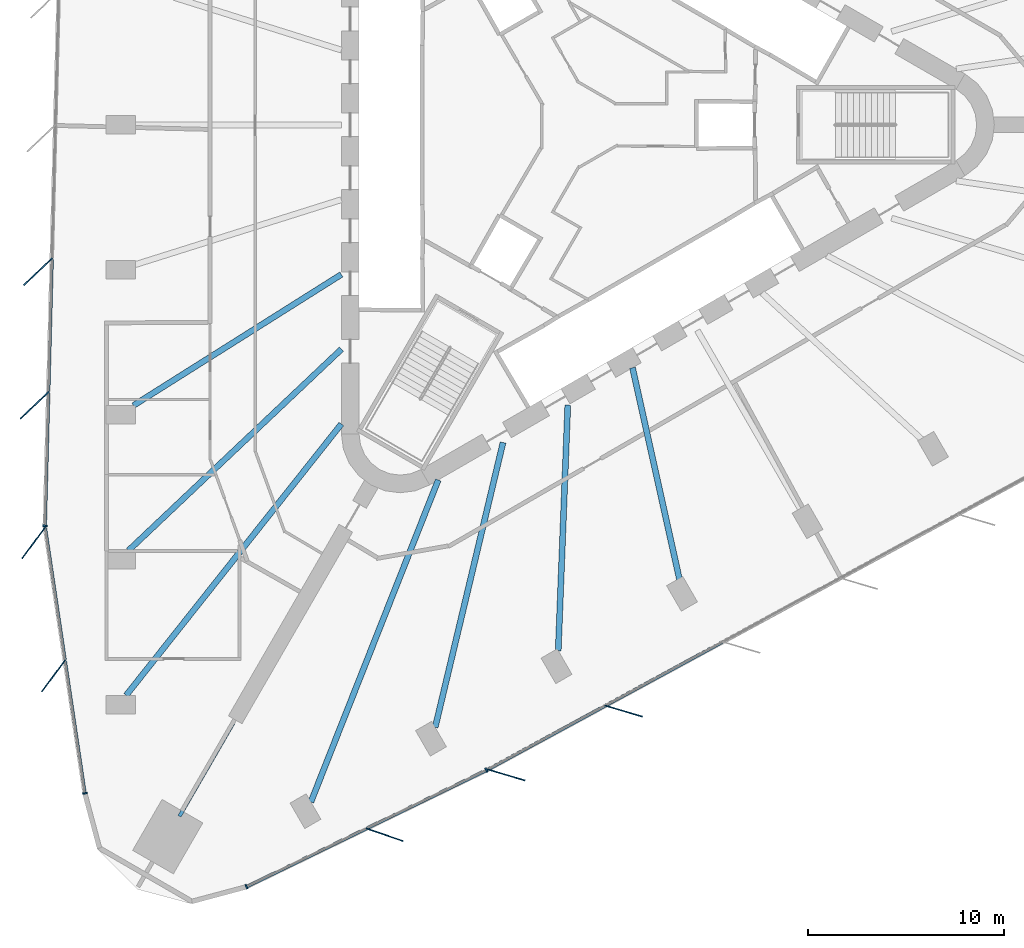
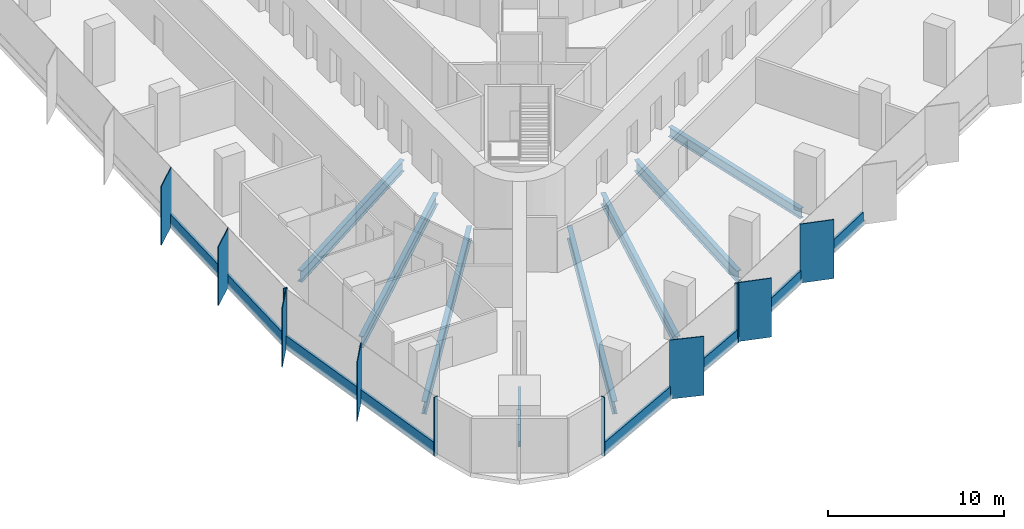
# One storey, part 2 of 13: 19 members, 8 beams, 4 elements without a shape of their own.
"""IFC4 building model written with IfcOpenShell, lengths in metres."""

import ifcopenshell
import ifcopenshell.guid

model = None  # the IFC model being written
_history = None  # IfcOwnerHistory: only IFC2X3 demands one
_inside = {}  # id of a spatial element -> (the spatial element, [elements in it])
_under = {}  # id of a project, library or spatial element -> (it, [spatial elements below it])
_declared = {}  # id of a project -> (the project, [libraries it declares])
_typed = {}  # id of a type object -> (the type object, [elements of that type])
_made_of = {}  # id of a material, layer set ... -> (it, [elements and type objects made of it])


def new_model(schema):
    """Start an empty IFC model of exactly this schema.

    Asked for "IFC4X3", IfcOpenShell would pick the latest addendum, in which some entities
    have other attributes; the version numbers below select the first issue.
    IFC2X3 requires an IfcOwnerHistory on every rooted entity: one is made here for all.
    """
    global model, _history
    if schema == "IFC4X3":
        model = ifcopenshell.file(schema_version=(4, 3, 0, 0))
    else:
        model = ifcopenshell.file(schema=schema)
    _inside.clear()
    _under.clear()
    _declared.clear()
    _typed.clear()
    _made_of.clear()
    _history = None
    if model.schema == "IFC2X3":
        org = make("IfcOrganization", Name="unknown")
        user = make(
            "IfcPersonAndOrganization",
            ThePerson=make("IfcPerson", FamilyName="unknown"),
            TheOrganization=org,
        )
        app = make(
            "IfcApplication",
            ApplicationDeveloper=org,
            Version="unknown",
            ApplicationFullName="unknown",
            ApplicationIdentifier="unknown",
        )
        _history = make(
            "IfcOwnerHistory",
            OwningUser=user,
            OwningApplication=app,
            ChangeAction="ADDED",
            CreationDate=0,
        )
    return model


def make(cls, **values):
    """One entity of the class cls with the attributes given. An attribute that is None is left unset."""
    return model.create_entity(
        cls, **{name: value for name, value in values.items() if value is not None}
    )


def rooted(cls, **values):
    """An entity with a GlobalId (a new one), such as an element, a storey or a relation."""
    return make(cls, GlobalId=ifcopenshell.guid.new(), OwnerHistory=_history, **values)


def si_unit(unit_type, name, prefix=None):
    """IfcSIUnit, for example si_unit("LENGTHUNIT", "METRE", prefix="MILLI")."""
    return make("IfcSIUnit", UnitType=unit_type, Prefix=prefix, Name=name)


def assignment(units):
    """IfcUnitAssignment: the units of a project."""
    return None if units is None else make("IfcUnitAssignment", Units=units)


def point(xyz):
    """IfcCartesianPoint."""
    return None if xyz is None else make("IfcCartesianPoint", Coordinates=xyz)


def direction(xyz):
    """IfcDirection."""
    return None if xyz is None else make("IfcDirection", DirectionRatios=xyz)


def frame(location, z_axis=None, x_axis=None):
    """IfcAxis2Placement3D, a coordinate frame: its origin and axes. An axis left out is left unset."""
    return make(
        "IfcAxis2Placement3D",
        Location=point(location),
        Axis=direction(z_axis),
        RefDirection=direction(x_axis),
    )


def frame_2d(location, x_axis=None):
    """IfcAxis2Placement2D, a coordinate frame in the plane: its origin and x axis."""
    return make(
        "IfcAxis2Placement2D", Location=point(location), RefDirection=direction(x_axis)
    )


def origin():
    """The frame at (0, 0, 0) with its axes left unset."""
    return frame((0.0, 0.0, 0.0))


def origin_2d():
    """The frame at (0, 0) in the plane with its x axis left unset."""
    return frame_2d((0.0, 0.0))


def place(relative_to, where):
    """IfcLocalPlacement: puts the frame where relative to a parent placement (None: the world)."""
    return make(
        "IfcLocalPlacement", PlacementRelTo=relative_to, RelativePlacement=where
    )


def context(
    kind, dimensions, precision=None, world=None, true_north=None, identifier=None
):
    """IfcGeometricRepresentationContext, for example the 3D "Model" context."""
    return make(
        "IfcGeometricRepresentationContext",
        ContextIdentifier=identifier,
        ContextType=kind,
        CoordinateSpaceDimension=dimensions,
        Precision=precision,
        WorldCoordinateSystem=world,
        TrueNorth=true_north,
    )


def subcontext(parent, identifier, kind, view, scale=None):
    """IfcGeometricRepresentationSubContext, for example "Body" below "Model"."""
    return make(
        "IfcGeometricRepresentationSubContext",
        ContextIdentifier=identifier,
        ContextType=kind,
        ParentContext=parent,
        TargetScale=scale,
        TargetView=view,
    )


def project(units=None, contexts=None):
    """IfcProject with its units and contexts."""
    return rooted(
        "IfcProject",
        Name="project",
        RepresentationContexts=contexts,
        UnitsInContext=assignment(units),
    )


def spatial(cls, under=None, at=None, **own):
    """A site, building, storey or space (cls), placed at a placement, below another one or the project."""
    s = rooted(cls, ObjectPlacement=at, **own)
    if under is not None:
        _under.setdefault(under.id(), (under, []))[1].append(s)
    return s


def profile(cls, at=None, kind="AREA", **sizes):
    """A parametric profile (cls). Its sizes go by their IFC names, for example OverallWidth=200.0."""
    return make(cls, ProfileType=kind, Position=at, **sizes)


def rectangle(**sizes):
    """IfcRectangleProfileDef."""
    return profile("IfcRectangleProfileDef", **sizes)


def i_section(**sizes):
    """IfcIShapeProfileDef."""
    return profile("IfcIShapeProfileDef", **sizes)


def extrude(swept, where, along, depth):
    """IfcExtrudedAreaSolid: the profile swept, set in the frame where, extruded along a direction by depth."""
    return make(
        "IfcExtrudedAreaSolid",
        SweptArea=swept,
        Position=where,
        ExtrudedDirection=direction(along),
        Depth=depth,
    )


def shape(context_of_items, identifier, shape_type, items):
    """IfcShapeRepresentation: the items that make up one representation, for example the "Body"."""
    return make(
        "IfcShapeRepresentation",
        ContextOfItems=context_of_items,
        RepresentationIdentifier=identifier,
        RepresentationType=shape_type,
        Items=items,
    )


def material(Name=None, Category=None):
    """IfcMaterial."""
    return make("IfcMaterial", Name=Name, Category=Category)


def material_profile(
    of_material, cross_section, Name=None, Category=None, Priority=None
):
    """IfcMaterialProfile: a cross section and its material."""
    return make(
        "IfcMaterialProfile",
        Name=Name,
        Material=of_material,
        Profile=cross_section,
        Priority=Priority,
        Category=Category,
    )


def profile_set(profiles, Name=None, composite=None):
    """IfcMaterialProfileSet."""
    return make(
        "IfcMaterialProfileSet",
        Name=Name,
        MaterialProfiles=profiles,
        CompositeProfile=composite,
    )


def made_of(thing, what):
    """Note that an element or type object is made of a material, layer set ...; save() writes the relation."""
    if what is not None:
        _made_of.setdefault(what.id(), (what, []))[1].append(thing)
    return thing


def type_object(cls, material=None, **own):
    """A type object (cls), such as IfcWallType, which elements share."""
    return made_of(rooted(cls, **own), material)


def element(
    cls,
    number,
    at=None,
    inside=None,
    cuts=None,
    type_object=None,
    material=None,
    context=None,
    identifier="Body",
    shape_type=None,
    held_by="IfcProductDefinitionShape",
    body=None,
    shapes=None,
    **own,
):
    """One element of the class cls, such as IfcWall. Its Tag is "e" and its number.

    at: its placement. inside: the storey or other place that contains it. cuts: it is an
    opening in that element (IfcRelVoidsElement). A single representation is given by context,
    identifier, shape_type and body (its items); several are given by shapes. held_by: the class
    of the entity that holds the representations. save() writes the other relations.
    """
    e = rooted(cls, Tag="e%d" % number, ObjectPlacement=at, **own)
    if body is not None:
        shapes = [shape(context, identifier, shape_type, body)]
    if shapes is not None:
        e.Representation = make(held_by, Representations=shapes)
    if inside is not None:
        _inside.setdefault(inside.id(), (inside, []))[1].append(e)
    if cuts is not None:
        rooted(
            "IfcRelVoidsElement", RelatingBuildingElement=cuts, RelatedOpeningElement=e
        )
    if type_object is not None:
        _typed.setdefault(type_object.id(), (type_object, []))[1].append(e)
    return made_of(e, material)


def aggregate(whole, parts):
    """IfcRelAggregates: a whole, such as a stair, and the parts it consists of."""
    return rooted("IfcRelAggregates", RelatingObject=whole, RelatedObjects=parts)


def save(model, path):
    """Write the relations noted so far, then the file.

    IfcRelAggregates (storeys below a building ...), IfcRelContainedInSpatialStructure (elements
    in a storey), IfcRelDefinesByType, IfcRelAssociatesMaterial and IfcRelDeclares: one each for
    every whole, place, type object, material and project.
    """
    for whole, parts in _under.values():
        aggregate(whole, parts)
    for where, things in _inside.values():
        rooted(
            "IfcRelContainedInSpatialStructure",
            RelatedElements=things,
            RelatingStructure=where,
        )
    for kind, things in _typed.values():
        rooted("IfcRelDefinesByType", RelatedObjects=things, RelatingType=kind)
    for what, things in _made_of.values():
        rooted("IfcRelAssociatesMaterial", RelatedObjects=things, RelatingMaterial=what)
    for by, libraries in _declared.values():
        rooted("IfcRelDeclares", RelatingContext=by, RelatedDefinitions=libraries)
    model.write(path)


model = new_model("IFC4")

# Units and contexts
model_context = context("Model", 3, precision=1e-05, world=origin(), true_north=direction((0.0, 1.0)))
body_context = subcontext(model_context, "Body", "Model", "MODEL_VIEW")
ifc_project = project(units=[si_unit("LENGTHUNIT", "METRE"), si_unit("AREAUNIT", "SQUARE_METRE"), si_unit("VOLUMEUNIT", "CUBIC_METRE"), si_unit("PLANEANGLEUNIT", "RADIAN"), si_unit("MASSUNIT", "GRAM", prefix="KILO")], contexts=[model_context])

# Site, building, storey
site_placement = place(None, origin())
site = spatial("IfcSite", under=ifc_project, at=site_placement, CompositionType="ELEMENT")
building_placement = place(site_placement, origin())
building = spatial("IfcBuilding", under=site, at=building_placement, Name="Tanit Gate Tower", CompositionType="ELEMENT")
storey_placement = place(building_placement, frame((0.0, 0.0, 57.800048828125)))
storey = spatial("IfcBuildingStorey", under=building, at=storey_placement, Name="L10", CompositionType="ELEMENT", Elevation=57.800048828125)

# Curtain wall, members
ifc_material_1 = material(Name="Aluminium bronze anodised and glass", Category="aluminium")
curtain_wall_type = type_object("IfcCurtainWallType", Name="Curtain wall typical low", PredefinedType="NOTDEFINED", material=ifc_material_1)
curtain_wall_1_placement = place(storey_placement, origin())
curtain_wall_1 = element("IfcCurtainWall", 1, at=curtain_wall_1_placement, inside=storey, type_object=curtain_wall_type, Name="Curtain wall L10 W2", PredefinedType="NOTDEFINED")
ifc_material_2 = material(Name="Aluminium bronze anodised", Category="aluminium")
ifc_material_profile_1 = material_profile(ifc_material_2, rectangle(XDim=2.0, YDim=0.055908203125, at=origin_2d()), Name="56x2000 bronze fin mullion")
ifc_profile_set_1 = profile_set([ifc_material_profile_1], Name="Aluminium bronze anodised")
member_type_1 = type_object("IfcMemberType", Name="FIN MULLION 56x2000 bronze", PredefinedType="MULLION", material=ifc_profile_set_1)
member_1_placement = place(storey_placement, frame((-27.569580078125, -7.487548828125, -0.300048828125), z_axis=(0.0, 0.0, 1.0), x_axis=(0.725200158595, 0.688538110764, 0.0)))
member_1 = element("IfcMember", 2, at=member_1_placement, type_object=member_type_1, Name="Fin mullion L10 W2.5", PredefinedType="MULLION", context=body_context, shape_type="SweptSolid", body=[
    extrude(rectangle(XDim=2.0, YDim=0.055908203125, at=origin_2d()), origin(), (0.0, 0.0, 1.0), 4.10009765625),
])
member_2_placement = place(storey_placement, frame((-27.746337890625, -14.302978515625, -0.300048828125), z_axis=(0.0, 0.0, 1.0), x_axis=(0.725200158595, 0.688538110764, 0.0)))
member_2 = element("IfcMember", 3, at=member_2_placement, type_object=member_type_1, Name="Fin mullion L10 W2.6", PredefinedType="MULLION", context=body_context, shape_type="SweptSolid", body=[
    extrude(rectangle(XDim=2.0, YDim=0.055908203125, at=origin_2d()), origin(), (0.0, 0.0, 1.0), 4.10009765625),
])

curtain_wall_2_placement = place(storey_placement, origin())
curtain_wall_2 = element("IfcCurtainWall", 4, at=curtain_wall_2_placement, inside=storey, type_object=curtain_wall_type, Name="Curtain wall L10 W3", PredefinedType="NOTDEFINED")
member_3_placement = place(storey_placement, frame((-27.790771484375, -21.310546875, -0.300048828125), z_axis=(0.0, 0.0, 1.0), x_axis=(0.594863059212, 0.803827059003, 0.0)))
member_3 = element("IfcMember", 5, at=member_3_placement, type_object=member_type_1, Name="Fin mullion L10 W3.1", PredefinedType="MULLION", context=body_context, shape_type="SweptSolid", body=[
    extrude(rectangle(XDim=2.0, YDim=0.055908203125, at=origin_2d()), origin(), (0.0, 0.0, 1.0), 4.10009765625),
])
member_4_placement = place(storey_placement, frame((-26.777587890625, -28.09326171875, -0.300048828125), z_axis=(0.0, 0.0, 1.0), x_axis=(0.594863059212, 0.803827059003, 0.0)))
member_4 = element("IfcMember", 6, at=member_4_placement, type_object=member_type_1, Name="Fin mullion L10 W3.2", PredefinedType="MULLION", context=body_context, shape_type="SweptSolid", body=[
    extrude(rectangle(XDim=2.0, YDim=0.055908203125, at=origin_2d()), origin(), (0.0, 0.0, 1.0), 4.10009765625),
])

# Curtain wall, member
curtain_wall_3_placement = place(storey_placement, origin())
curtain_wall_3 = element("IfcCurtainWall", 7, at=curtain_wall_3_placement, inside=storey, type_object=curtain_wall_type, Name="Curtain wall L10 SE1", PredefinedType="NOTDEFINED")
member_5_placement = place(storey_placement, frame((-9.89599609375, -36.200927734375, -0.300048828125), z_axis=(0.0, 0.0, 1.0), x_axis=(-0.944974693541, 0.327143437299, 0.0)))
member_5 = element("IfcMember", 8, at=member_5_placement, type_object=member_type_1, Name="Fin mullion L10 SE1.2", PredefinedType="MULLION", context=body_context, shape_type="SweptSolid", body=[
    extrude(rectangle(XDim=2.0, YDim=0.055908203125, at=origin_2d()), origin(), (0.0, 0.0, 1.0), 4.10009765625),
])

# Curtain wall, members
curtain_wall_4_placement = place(storey_placement, origin())
curtain_wall_4 = element("IfcCurtainWall", 9, at=curtain_wall_4_placement, inside=storey, type_object=curtain_wall_type, Name="Curtain wall L10 SE2", PredefinedType="NOTDEFINED")
member_6_placement = place(storey_placement, frame((-3.693359375, -33.150634765625, -0.300048828125), z_axis=(0.0, 0.0, 1.0), x_axis=(-0.958891574692, 0.28377270479, 0.0)))
member_6 = element("IfcMember", 10, at=member_6_placement, type_object=member_type_1, Name="Fin mullion L10 SE2.1", PredefinedType="MULLION", context=body_context, shape_type="SweptSolid", body=[
    extrude(rectangle(XDim=2.0, YDim=0.055908203125, at=origin_2d()), origin(), (0.0, 0.0, 1.0), 4.10009765625),
])
member_7_placement = place(storey_placement, frame((2.29736328125, -29.89599609375, -0.300048828125), z_axis=(0.0, 0.0, 1.0), x_axis=(-0.958891574692, 0.28377270479, 0.0)))
member_7 = element("IfcMember", 11, at=member_7_placement, type_object=member_type_1, Name="Fin mullion L10 SE2.2", PredefinedType="MULLION", context=body_context, shape_type="SweptSolid", body=[
    extrude(rectangle(XDim=2.0, YDim=0.055908203125, at=origin_2d()), origin(), (0.0, 0.0, 1.0), 4.10009765625),
])

# Member
ifc_material_3 = material(Name="Aluminium bronze anodised", Category="aluminium")
ifc_material_profile_2 = material_profile(ifc_material_3, rectangle(XDim=0.239990234375, YDim=0.080078125, at=origin_2d()), Name="80x240 bronze mullion")
ifc_profile_set_2 = profile_set([ifc_material_profile_2], Name="Aluminium bronze anodised")
member_type_2 = type_object("IfcMemberType", Name="Mullion 80x240 typical low", PredefinedType="MULLION", material=ifc_profile_set_2)
member_8_placement = place(storey_placement, frame((-27.21435546875, -20.4453125, -0.300048828125), z_axis=(0.0, 0.0, 1.0), x_axis=(0.999663917086, -0.025923982634, 0.0)))
member_8 = element("IfcMember", 12, at=member_8_placement, type_object=member_type_2, Name="Mullion L10 W2.7", PredefinedType="MULLION", context=body_context, shape_type="SweptSolid", body=[
    extrude(rectangle(XDim=0.239990234375, YDim=0.080078125, at=origin_2d()), origin(), (0.0, 0.0, 1.0), 4.10009765625),
])

member_9_placement = place(storey_placement, frame((-25.182861328125, -34.09033203125, -0.300048828125), z_axis=(0.0, 0.0, 1.0), x_axis=(0.989023267368, 0.147759861276, 0.0)))
member_9 = element("IfcMember", 13, at=member_9_placement, type_object=member_type_2, Name="Mullion L10 W3.3", PredefinedType="MULLION", context=body_context, shape_type="SweptSolid", body=[
    extrude(rectangle(XDim=0.239990234375, YDim=0.080078125, at=origin_2d()), origin(), (0.0, 0.0, 1.0), 4.10009765625),
])

member_10_placement = place(storey_placement, frame((-16.9375, -38.8525390625, -0.300048828125), z_axis=(0.0, 0.0, 1.0), x_axis=(-0.436872670918, 0.899523356787, 0.0)))
member_10 = element("IfcMember", 14, at=member_10_placement, type_object=member_type_2, Name="Mullion L10 SE1.1", PredefinedType="MULLION", context=body_context, shape_type="SweptSolid", body=[
    extrude(rectangle(XDim=0.239990234375, YDim=0.080078125, at=origin_2d()), origin(), (0.0, 0.0, 1.0), 4.10009765625),
])

member_11_placement = place(storey_placement, frame((-4.70166015625, -32.909912109375, -0.300048828125), z_axis=(0.0, 0.0, 1.0), x_axis=(-0.436872670918, 0.899523356787, 0.0)))
member_11 = element("IfcMember", 15, at=member_11_placement, type_object=member_type_2, Name="Mullion L10 SE1.3", PredefinedType="MULLION", context=body_context, shape_type="SweptSolid", body=[
    extrude(rectangle(XDim=0.239990234375, YDim=0.080078125, at=origin_2d()), origin(), (0.0, 0.0, 1.0), 4.10009765625),
])

# Beams
ifc_material_4 = material(Name="Steel S355", Category="steel")
ifc_material_profile_3 = material_profile(ifc_material_4, i_section(OverallWidth=0.300048828125, OverallDepth=0.68994140625, WebThickness=0.014404296875, FlangeThickness=0.027099609375, FilletRadius=0.027099609375, at=origin_2d()), Name="HEA 700")
ifc_profile_set_3 = profile_set([ifc_material_profile_3], Name="Steel S355")
beam_type_1 = type_object("IfcBeamType", Name="RADIAL GIRDER HEA 700 S355", PredefinedType="BEAM", material=ifc_profile_set_3)
beam_1_placement = place(storey_placement, frame((5.1552734375, -23.2392578125, -0.64501953125), z_axis=(-0.216567644873, 0.976267614537, 0.0), x_axis=(-0.976267614537, -0.216567644873, 0.0)))
element("IfcBeam", 16, at=beam_1_placement, inside=storey, type_object=beam_type_1, Name="RADIAL GIRDER", PredefinedType="BEAM", context=body_context, shape_type="SweptSolid", body=[
    extrude(i_section(OverallWidth=0.300048828125, OverallDepth=0.68994140625, WebThickness=0.014404296875, FlangeThickness=0.027099609375, FilletRadius=0.027099609375, at=origin_2d()), origin(), (0.0, 0.0, 1.0), 11.115234375),
])
ifc_material_5 = material(Name="Steel S355", Category="steel")
ifc_material_profile_4 = material_profile(ifc_material_5, i_section(OverallWidth=0.300048828125, OverallDepth=0.7900390625, WebThickness=0.014892578125, FlangeThickness=0.028076171875, FilletRadius=0.030029296875, at=origin_2d()), Name="HEA 800")
ifc_profile_set_4 = profile_set([ifc_material_profile_4], Name="Steel S355")
beam_type_2 = type_object("IfcBeamType", Name="RADIAL GIRDER HEA 800 S355", PredefinedType="BEAM", material=ifc_profile_set_4)
beam_2_placement = place(storey_placement, frame((-22.703369140625, -14.310302734375, -0.695068359375), z_axis=(0.845964004255, 0.533240005537, 0.0), x_axis=(-0.533240005537, 0.845964004255, 0.0)))
element("IfcBeam", 17, at=beam_2_placement, inside=storey, type_object=beam_type_2, Name="RADIAL GIRDER", PredefinedType="BEAM", context=body_context, shape_type="SweptSolid", body=[
    extrude(i_section(OverallWidth=0.300048828125, OverallDepth=0.7900390625, WebThickness=0.014892578125, FlangeThickness=0.028076171875, FilletRadius=0.030029296875, at=origin_2d()), origin(), (0.0, 0.0, 1.0), 12.53173828125),
])
beam_3_placement = place(storey_placement, frame((-22.950927734375, -21.69921875, -0.695068359375), z_axis=(0.726639827007, 0.687018603683, 0.0), x_axis=(-0.687018603683, 0.726639827007, 0.0)))
element("IfcBeam", 18, at=beam_3_placement, inside=storey, type_object=beam_type_2, Name="RADIAL GIRDER", PredefinedType="BEAM", context=body_context, shape_type="SweptSolid", body=[
    extrude(i_section(OverallWidth=0.300048828125, OverallDepth=0.7900390625, WebThickness=0.014892578125, FlangeThickness=0.028076171875, FilletRadius=0.030029296875, at=origin_2d()), origin(), (0.0, 0.0, 1.0), 14.93017578125),
])
beam_4_placement = place(storey_placement, frame((-7.316650390625, -30.725830078125, -0.695068359375), z_axis=(0.231658845557, 0.972797090495, 0.0), x_axis=(-0.972797090495, 0.231658845557, 0.0)))
element("IfcBeam", 19, at=beam_4_placement, inside=storey, type_object=beam_type_2, Name="RADIAL GIRDER", PredefinedType="BEAM", context=body_context, shape_type="SweptSolid", body=[
    extrude(i_section(OverallWidth=0.300048828125, OverallDepth=0.7900390625, WebThickness=0.014892578125, FlangeThickness=0.028076171875, FilletRadius=0.030029296875, at=origin_2d()), origin(), (0.0, 0.0, 1.0), 14.930419921875),
])
beam_5_placement = place(storey_placement, frame((-1.041259765625, -26.81689453125, -0.695068359375), z_axis=(0.038788513733, 0.99924744243, 0.0), x_axis=(-0.99924744243, 0.038788513733, 0.0)))
element("IfcBeam", 20, at=beam_5_placement, inside=storey, type_object=beam_type_2, Name="RADIAL GIRDER", PredefinedType="BEAM", context=body_context, shape_type="SweptSolid", body=[
    extrude(i_section(OverallWidth=0.300048828125, OverallDepth=0.7900390625, WebThickness=0.014892578125, FlangeThickness=0.028076171875, FilletRadius=0.030029296875, at=origin_2d()), origin(), (0.0, 0.0, 1.0), 12.53173828125),
])
ifc_material_6 = material(Name="Steel S355", Category="steel")
ifc_material_profile_5 = material_profile(ifc_material_6, i_section(OverallWidth=0.300048828125, OverallDepth=0.889892578125, WebThickness=0.01611328125, FlangeThickness=0.030029296875, FilletRadius=0.030029296875, at=origin_2d()), Name="HEA 900")
ifc_profile_set_5 = profile_set([ifc_material_profile_5], Name="Steel S355")
beam_type_3 = type_object("IfcBeamType", Name="RADIAL GIRDER HEA 900 S355", PredefinedType="BEAM", material=ifc_profile_set_5)
for number, where, z_axis, x_axis, name in (
    (21, (-23.07666015625, -29.0908203125, -0.7451171875), (0.621472845829, 0.783435703742, 0.0), (-0.783435703742, 0.621472845829, 0.0), "RADIAL GIRDER"),
    (22, (-13.655029296875, -34.5302734375, -0.7451171875), (0.36773841244, 0.929929276889, 0.0), (-0.929929276889, 0.36773841244, 0.0), "RADIAL GIRDER"),
):
    element("IfcBeam", number, at=place(storey_placement, frame(where, z_axis=z_axis, x_axis=x_axis)), inside=storey, type_object=beam_type_3, Name=name, PredefinedType="BEAM", context=body_context, shape_type="SweptSolid", body=[
        extrude(i_section(OverallWidth=0.300048828125, OverallDepth=0.889892578125, WebThickness=0.01611328125, FlangeThickness=0.030029296875, FilletRadius=0.030029296875, at=origin_2d()), origin(), (0.0, 0.0, 1.0), 17.658935546875),
    ])
ifc_material_7 = material(Name="Steel S355", Category="steel")
ifc_material_profile_6 = material_profile(ifc_material_7, i_section(OverallWidth=0.179931640625, OverallDepth=0.39990234375, WebThickness=0.008544921875, FlangeThickness=0.013427734375, FilletRadius=0.02099609375, at=origin_2d()), Name="IPE 400")
ifc_profile_set_6 = profile_set([ifc_material_profile_6], Name="Steel S355")
beam_type_4 = type_object("IfcBeamType", Name="RADIAL GIRDER IPE 400 S355", PredefinedType="BEAM", material=ifc_profile_set_6)
beam_6_placement = place(storey_placement, frame((-20.355712890625, -35.257080078125, -0.5), z_axis=(0.500017734461, 0.866015164547, 0.0), x_axis=(-0.866015164547, 0.500017734461, 0.0)))
element("IfcBeam", 23, at=beam_6_placement, inside=storey, type_object=beam_type_4, Name="RADIAL GIRDER", PredefinedType="BEAM", context=body_context, shape_type="SweptSolid", body=[
    extrude(i_section(OverallWidth=0.179931640625, OverallDepth=0.39990234375, WebThickness=0.008544921875, FlangeThickness=0.013427734375, FilletRadius=0.02099609375, at=origin_2d()), origin(), (0.0, 0.0, 1.0), 5.463134765625),
])

# Member
ifc_material_8 = material(Name="Aluminium bronze anodised", Category="aluminium")
ifc_material_profile_7 = material_profile(ifc_material_8, rectangle(XDim=0.159912109375, YDim=0.89990234375, at=origin_2d()), Name="160x900 bronze transom")
ifc_profile_set_7 = profile_set([ifc_material_profile_7], Name="Aluminium bronze anodised")
member_type_3 = type_object("IfcMemberType", Name="Transom 160x900 typical low", PredefinedType="USERDEFINED", material=ifc_profile_set_7)
member_12_placement = place(storey_placement, frame((-26.86181640625, -6.8544921875, 0.14990234375), z_axis=(-0.025943636941, -0.999663407204, 0.0), x_axis=(0.999663407204, -0.025943636941, 0.0)))
member_12 = element("IfcMember", 24, at=member_12_placement, type_object=member_type_3, Name="Transom L10 W2.5", ObjectType="TRANSOM", PredefinedType="USERDEFINED", context=body_context, shape_type="SweptSolid", body=[
    extrude(rectangle(XDim=0.159912109375, YDim=0.89990234375, at=origin_2d()), origin(), (0.0, 0.0, 1.0), 6.73779296875),
])

member_13_placement = place(storey_placement, frame((-27.03857421875, -13.669921875, 0.14990234375), z_axis=(-0.025944576703, -0.999663382814, 0.0), x_axis=(0.999663382814, -0.025944576703, 0.0)))
member_13 = element("IfcMember", 25, at=member_13_placement, type_object=member_type_3, Name="Transom L10 W2.6", ObjectType="TRANSOM", PredefinedType="USERDEFINED", context=body_context, shape_type="SweptSolid", body=[
    extrude(rectangle(XDim=0.159912109375, YDim=0.89990234375, at=origin_2d()), origin(), (0.0, 0.0, 1.0), 6.737548828125),
])

aggregate(curtain_wall_1, [member_1, member_2, member_8, member_12, member_13])

member_14_placement = place(storey_placement, frame((-27.20361328125, -20.564453125, 0.14990234375), z_axis=(0.147787369873, -0.989019157199, 0.0), x_axis=(0.989019157199, 0.147787369873, 0.0)))
member_14 = element("IfcMember", 26, at=member_14_placement, type_object=member_type_3, Name="Transom L10 W3.1", ObjectType="TRANSOM", PredefinedType="USERDEFINED", context=body_context, shape_type="SweptSolid", body=[
    extrude(rectangle(XDim=0.159912109375, YDim=0.89990234375, at=origin_2d()), origin(), (0.0, 0.0, 1.0), 6.778076171875),
])

member_15_placement = place(storey_placement, frame((-26.190185546875, -27.34716796875, 0.14990234375), z_axis=(0.14775213695, -0.98902442135, 0.0), x_axis=(0.98902442135, 0.14775213695, 0.0)))
member_15 = element("IfcMember", 27, at=member_15_placement, type_object=member_type_3, Name="Transom L10 W3.2", ObjectType="TRANSOM", PredefinedType="USERDEFINED", context=body_context, shape_type="SweptSolid", body=[
    extrude(rectangle(XDim=0.159912109375, YDim=0.89990234375, at=origin_2d()), origin(), (0.0, 0.0, 1.0), 6.778076171875),
])

aggregate(curtain_wall_2, [member_3, member_4, member_9, member_14, member_15])

member_16_placement = place(storey_placement, frame((-16.901611328125, -38.8349609375, 0.14990234375), z_axis=(0.899532628231, 0.436853580445, 0.0), x_axis=(-0.436853580445, 0.899532628231, 0.0)))
member_16 = element("IfcMember", 28, at=member_16_placement, type_object=member_type_3, Name="Transom L10 SE1.1", ObjectType="TRANSOM", PredefinedType="USERDEFINED", context=body_context, shape_type="SweptSolid", body=[
    extrude(rectangle(XDim=0.159912109375, YDim=0.89990234375, at=origin_2d()), origin(), (0.0, 0.0, 1.0), 6.721435546875),
])

member_17_placement = place(storey_placement, frame((-10.78369140625, -35.86376953125, 0.14990234375), z_axis=(0.899532628231, 0.436853580445, 0.0), x_axis=(-0.436853580445, 0.899532628231, 0.0)))
member_17 = element("IfcMember", 29, at=member_17_placement, type_object=member_type_3, Name="Transom L10 SE1.2", ObjectType="TRANSOM", PredefinedType="USERDEFINED", context=body_context, shape_type="SweptSolid", body=[
    extrude(rectangle(XDim=0.159912109375, YDim=0.89990234375, at=origin_2d()), origin(), (0.0, 0.0, 1.0), 6.721435546875),
])

aggregate(curtain_wall_3, [member_10, member_5, member_11, member_16, member_17])

member_18_placement = place(storey_placement, frame((-4.595458984375, -32.854248046875, 0.14990234375), z_axis=(0.878705798201, 0.47736371899, 0.0), x_axis=(-0.47736371899, 0.878705798201, 0.0)))
member_18 = element("IfcMember", 30, at=member_18_placement, type_object=member_type_3, Name="Transom L10 SE2.1", ObjectType="TRANSOM", PredefinedType="USERDEFINED", context=body_context, shape_type="SweptSolid", body=[
    extrude(rectangle(XDim=0.159912109375, YDim=0.89990234375, at=origin_2d()), origin(), (0.0, 0.0, 1.0), 6.737548828125),
])

member_19_placement = place(storey_placement, frame((1.395263671875, -29.599609375, 0.14990234375), z_axis=(0.878705798201, 0.47736371899, 0.0), x_axis=(-0.47736371899, 0.878705798201, 0.0)))
member_19 = element("IfcMember", 31, at=member_19_placement, type_object=member_type_3, Name="Transom L10 SE2.2", ObjectType="TRANSOM", PredefinedType="USERDEFINED", context=body_context, shape_type="SweptSolid", body=[
    extrude(rectangle(XDim=0.159912109375, YDim=0.89990234375, at=origin_2d()), origin(), (0.0, 0.0, 1.0), 6.737548828125),
])

aggregate(curtain_wall_4, [member_6, member_7, member_18, member_19])

save(model, "model.ifc")
